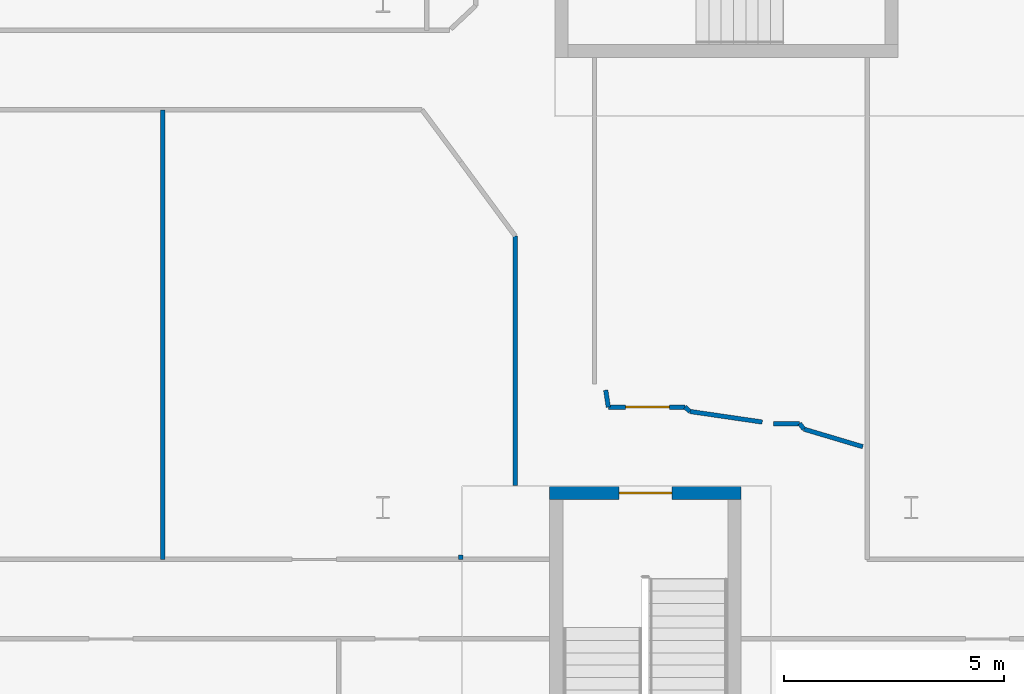
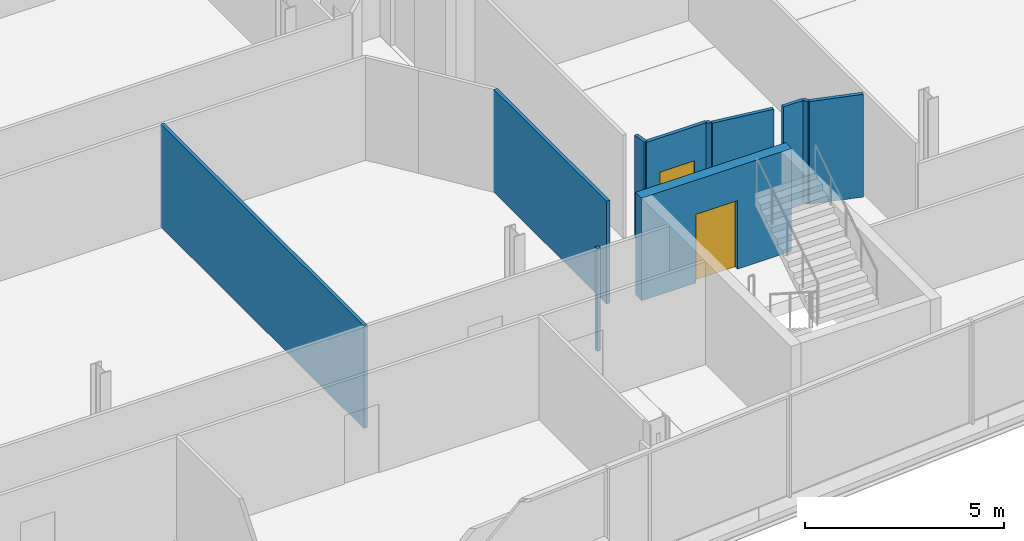
# One storey, part 17 of 24: 11 walls, 2 doors, 2 openings.
"""IFC4 building model written with IfcOpenShell, lengths in metres."""

import ifcopenshell
import ifcopenshell.guid

model = None  # the IFC model being written
_history = None  # IfcOwnerHistory: only IFC2X3 demands one
_inside = {}  # id of a spatial element -> (the spatial element, [elements in it])
_under = {}  # id of a project, library or spatial element -> (it, [spatial elements below it])
_declared = {}  # id of a project -> (the project, [libraries it declares])
_typed = {}  # id of a type object -> (the type object, [elements of that type])
_made_of = {}  # id of a material, layer set ... -> (it, [elements and type objects made of it])


def new_model(schema):
    """Start an empty IFC model of exactly this schema.

    Asked for "IFC4X3", IfcOpenShell would pick the latest addendum, in which some entities
    have other attributes; the version numbers below select the first issue.
    IFC2X3 requires an IfcOwnerHistory on every rooted entity: one is made here for all.
    """
    global model, _history
    if schema == "IFC4X3":
        model = ifcopenshell.file(schema_version=(4, 3, 0, 0))
    else:
        model = ifcopenshell.file(schema=schema)
    _inside.clear()
    _under.clear()
    _declared.clear()
    _typed.clear()
    _made_of.clear()
    _history = None
    if model.schema == "IFC2X3":
        org = make("IfcOrganization", Name="unknown")
        user = make(
            "IfcPersonAndOrganization",
            ThePerson=make("IfcPerson", FamilyName="unknown"),
            TheOrganization=org,
        )
        app = make(
            "IfcApplication",
            ApplicationDeveloper=org,
            Version="unknown",
            ApplicationFullName="unknown",
            ApplicationIdentifier="unknown",
        )
        _history = make(
            "IfcOwnerHistory",
            OwningUser=user,
            OwningApplication=app,
            ChangeAction="ADDED",
            CreationDate=0,
        )
    return model


def make(cls, **values):
    """One entity of the class cls with the attributes given. An attribute that is None is left unset."""
    return model.create_entity(
        cls, **{name: value for name, value in values.items() if value is not None}
    )


def rooted(cls, **values):
    """An entity with a GlobalId (a new one), such as an element, a storey or a relation."""
    return make(cls, GlobalId=ifcopenshell.guid.new(), OwnerHistory=_history, **values)


def si_unit(unit_type, name, prefix=None):
    """IfcSIUnit, for example si_unit("LENGTHUNIT", "METRE", prefix="MILLI")."""
    return make("IfcSIUnit", UnitType=unit_type, Prefix=prefix, Name=name)


def assignment(units):
    """IfcUnitAssignment: the units of a project."""
    return None if units is None else make("IfcUnitAssignment", Units=units)


def point(xyz):
    """IfcCartesianPoint."""
    return None if xyz is None else make("IfcCartesianPoint", Coordinates=xyz)


def direction(xyz):
    """IfcDirection."""
    return None if xyz is None else make("IfcDirection", DirectionRatios=xyz)


def frame(location, z_axis=None, x_axis=None):
    """IfcAxis2Placement3D, a coordinate frame: its origin and axes. An axis left out is left unset."""
    return make(
        "IfcAxis2Placement3D",
        Location=point(location),
        Axis=direction(z_axis),
        RefDirection=direction(x_axis),
    )


def frame_2d(location, x_axis=None):
    """IfcAxis2Placement2D, a coordinate frame in the plane: its origin and x axis."""
    return make(
        "IfcAxis2Placement2D", Location=point(location), RefDirection=direction(x_axis)
    )


def origin():
    """The frame at (0, 0, 0) with its axes left unset."""
    return frame((0.0, 0.0, 0.0))


def place(relative_to, where):
    """IfcLocalPlacement: puts the frame where relative to a parent placement (None: the world)."""
    return make(
        "IfcLocalPlacement", PlacementRelTo=relative_to, RelativePlacement=where
    )


def context(
    kind, dimensions, precision=None, world=None, true_north=None, identifier=None
):
    """IfcGeometricRepresentationContext, for example the 3D "Model" context."""
    return make(
        "IfcGeometricRepresentationContext",
        ContextIdentifier=identifier,
        ContextType=kind,
        CoordinateSpaceDimension=dimensions,
        Precision=precision,
        WorldCoordinateSystem=world,
        TrueNorth=true_north,
    )


def subcontext(parent, identifier, kind, view, scale=None):
    """IfcGeometricRepresentationSubContext, for example "Body" below "Model"."""
    return make(
        "IfcGeometricRepresentationSubContext",
        ContextIdentifier=identifier,
        ContextType=kind,
        ParentContext=parent,
        TargetScale=scale,
        TargetView=view,
    )


def project(units=None, contexts=None):
    """IfcProject with its units and contexts."""
    return rooted(
        "IfcProject",
        Name="project",
        RepresentationContexts=contexts,
        UnitsInContext=assignment(units),
    )


def spatial(cls, under=None, at=None, **own):
    """A site, building, storey or space (cls), placed at a placement, below another one or the project."""
    s = rooted(cls, ObjectPlacement=at, **own)
    if under is not None:
        _under.setdefault(under.id(), (under, []))[1].append(s)
    return s


def profile(cls, at=None, kind="AREA", **sizes):
    """A parametric profile (cls). Its sizes go by their IFC names, for example OverallWidth=200.0."""
    return make(cls, ProfileType=kind, Position=at, **sizes)


def rectangle(**sizes):
    """IfcRectangleProfileDef."""
    return profile("IfcRectangleProfileDef", **sizes)


def extrude(swept, where, along, depth):
    """IfcExtrudedAreaSolid: the profile swept, set in the frame where, extruded along a direction by depth."""
    return make(
        "IfcExtrudedAreaSolid",
        SweptArea=swept,
        Position=where,
        ExtrudedDirection=direction(along),
        Depth=depth,
    )


def shape(context_of_items, identifier, shape_type, items):
    """IfcShapeRepresentation: the items that make up one representation, for example the "Body"."""
    return make(
        "IfcShapeRepresentation",
        ContextOfItems=context_of_items,
        RepresentationIdentifier=identifier,
        RepresentationType=shape_type,
        Items=items,
    )


def material(Name=None, Category=None):
    """IfcMaterial."""
    return make("IfcMaterial", Name=Name, Category=Category)


def layer(
    of_material, thickness, ventilated=None, Name=None, Category=None, Priority=None
):
    """IfcMaterialLayer: one layer of a wall or slab, of a material (None: an air gap)."""
    return make(
        "IfcMaterialLayer",
        Material=of_material,
        LayerThickness=thickness,
        IsVentilated=ventilated,
        Name=Name,
        Category=Category,
        Priority=Priority,
    )


def layer_set(layers, Name=None):
    """IfcMaterialLayerSet."""
    return make("IfcMaterialLayerSet", MaterialLayers=layers, LayerSetName=Name)


def made_of(thing, what):
    """Note that an element or type object is made of a material, layer set ...; save() writes the relation."""
    if what is not None:
        _made_of.setdefault(what.id(), (what, []))[1].append(thing)
    return thing


def type_object(cls, material=None, **own):
    """A type object (cls), such as IfcWallType, which elements share."""
    return made_of(rooted(cls, **own), material)


def element(
    cls,
    number,
    at=None,
    inside=None,
    cuts=None,
    type_object=None,
    material=None,
    context=None,
    identifier="Body",
    shape_type=None,
    held_by="IfcProductDefinitionShape",
    body=None,
    shapes=None,
    **own,
):
    """One element of the class cls, such as IfcWall. Its Tag is "e" and its number.

    at: its placement. inside: the storey or other place that contains it. cuts: it is an
    opening in that element (IfcRelVoidsElement). A single representation is given by context,
    identifier, shape_type and body (its items); several are given by shapes. held_by: the class
    of the entity that holds the representations. save() writes the other relations.
    """
    e = rooted(cls, Tag="e%d" % number, ObjectPlacement=at, **own)
    if body is not None:
        shapes = [shape(context, identifier, shape_type, body)]
    if shapes is not None:
        e.Representation = make(held_by, Representations=shapes)
    if inside is not None:
        _inside.setdefault(inside.id(), (inside, []))[1].append(e)
    if cuts is not None:
        rooted(
            "IfcRelVoidsElement", RelatingBuildingElement=cuts, RelatedOpeningElement=e
        )
    if type_object is not None:
        _typed.setdefault(type_object.id(), (type_object, []))[1].append(e)
    return made_of(e, material)


def fill(opening, filler):
    """IfcRelFillsElement: the door or window that sits in an opening."""
    return rooted(
        "IfcRelFillsElement",
        RelatingOpeningElement=opening,
        RelatedBuildingElement=filler,
    )


def aggregate(whole, parts):
    """IfcRelAggregates: a whole, such as a stair, and the parts it consists of."""
    return rooted("IfcRelAggregates", RelatingObject=whole, RelatedObjects=parts)


def save(model, path):
    """Write the relations noted so far, then the file.

    IfcRelAggregates (storeys below a building ...), IfcRelContainedInSpatialStructure (elements
    in a storey), IfcRelDefinesByType, IfcRelAssociatesMaterial and IfcRelDeclares: one each for
    every whole, place, type object, material and project.
    """
    for whole, parts in _under.values():
        aggregate(whole, parts)
    for where, things in _inside.values():
        rooted(
            "IfcRelContainedInSpatialStructure",
            RelatedElements=things,
            RelatingStructure=where,
        )
    for kind, things in _typed.values():
        rooted("IfcRelDefinesByType", RelatedObjects=things, RelatingType=kind)
    for what, things in _made_of.values():
        rooted("IfcRelAssociatesMaterial", RelatedObjects=things, RelatingMaterial=what)
    for by, libraries in _declared.values():
        rooted("IfcRelDeclares", RelatingContext=by, RelatedDefinitions=libraries)
    model.write(path)


model = new_model("IFC4")

# Units and contexts
model_context = context("Model", 3, precision=1e-05, world=origin(), true_north=direction((0.0, 1.0)))
body_context = subcontext(model_context, "Body", "Model", "MODEL_VIEW")
ifc_project = project(units=[si_unit("LENGTHUNIT", "METRE"), si_unit("AREAUNIT", "SQUARE_METRE"), si_unit("VOLUMEUNIT", "CUBIC_METRE"), si_unit("PLANEANGLEUNIT", "RADIAN"), si_unit("MASSUNIT", "GRAM", prefix="KILO")], contexts=[model_context])

# Site, building, storey
site_placement = place(None, origin())
site = spatial("IfcSite", under=ifc_project, at=site_placement, CompositionType="ELEMENT")
building_placement = place(site_placement, origin())
building = spatial("IfcBuilding", under=site, at=building_placement, Name="Wharfspan Tower", CompositionType="ELEMENT")
storey_placement = place(building_placement, frame((0.0, 0.0, 198.699951)))
storey = spatial("IfcBuildingStorey", under=building, at=storey_placement, Name="L49", CompositionType="ELEMENT", Elevation=198.699951)

# Walls
ifc_material_1 = material(Name="Gypsum board on steel studs", Category="steel")
ifc_layer_1 = layer(ifc_material_1, 0.100098)
ifc_layer_set_1 = layer_set([ifc_layer_1], Name="Gypsum board on steel studs")
wall_type_1 = type_object("IfcWallType", Name="Compartment wall 100 EI 60", PredefinedType="PARTITIONING", material=ifc_layer_set_1)
wall_1_placement = place(storey_placement, frame((55.0, 10.324951, 0.0), z_axis=(0.0, 0.0, 1.0), x_axis=(0.0, 1.0, 0.0)))
element("IfcWall", 1, at=wall_1_placement, inside=storey, type_object=wall_type_1, Name="Partition L49.w049", PredefinedType="PARTITIONING", context=body_context, shape_type="SweptSolid", body=[
    extrude(rectangle(XDim=10.209961, YDim=0.100098, at=frame_2d((5.10498, 0.0))), origin(), (0.0, 0.0, 1.0), 3.150146),
])
wall_2_placement = place(storey_placement, frame((61.764893, 10.324951, 0.0), z_axis=(0.0, 0.0, 1.0), x_axis=(0.0, 1.0, 0.0)))
element("IfcWall", 2, at=wall_2_placement, inside=storey, type_object=wall_type_1, Name="Partition L49.w055", PredefinedType="PARTITIONING", context=body_context, shape_type="SweptSolid", body=[
    extrude(rectangle(XDim=0.10498, YDim=0.100098, at=frame_2d((0.05249, 0.0))), origin(), (0.0, 0.0, 1.0), 3.150146),
])
wall_3_placement = place(storey_placement, frame((63.004883, 12.003662, 0.0), z_axis=(0.0, 0.0, 1.0), x_axis=(0.0, 1.0, 0.0)))
element("IfcWall", 3, at=wall_3_placement, inside=storey, type_object=wall_type_1, Name="Partition L49.w061", PredefinedType="PARTITIONING", context=body_context, shape_type="SweptSolid", body=[
    extrude(rectangle(XDim=5.66626, YDim=0.100098, at=frame_2d((2.833008, 0.0))), origin(), (0.0, 0.0, 1.0), 3.150146),
])
wall_4_placement = place(storey_placement, frame((65.120117, 13.784912, 0.0), z_axis=(0.0, 0.0, 1.0), x_axis=(-0.154128, 0.988048, 0.0)))
element("IfcWall", 4, at=wall_4_placement, inside=storey, type_object=wall_type_1, Name="Partition L49.w063", PredefinedType="PARTITIONING", context=body_context, shape_type="SweptSolid", body=[
    extrude(rectangle(XDim=0.389648, YDim=0.100098, at=frame_2d((0.194824, 0.0))), origin(), (0.0, 0.0, 1.0), 3.150146),
])

# Wall, opening, door
wall_5_placement = place(storey_placement, frame((65.120117, 13.784912, 0.0), z_axis=(0.0, 0.0, 1.0), x_axis=(1.0, 0.0, 0.0)))
wall_5 = element("IfcWall", 5, at=wall_5_placement, inside=storey, type_object=wall_type_1, Name="Partition L49.w064", PredefinedType="PARTITIONING", context=body_context, shape_type="SweptSolid", body=[
    extrude(rectangle(XDim=1.73999, YDim=0.100098, at=frame_2d((0.870117, 0.0))), origin(), (0.0, 0.0, 1.0), 3.150146),
])
opening_1_placement = place(wall_5_placement, frame((0.392334, 0.0, 0.0)))
opening_1 = element("IfcOpeningElement", 6, at=opening_1_placement, cuts=wall_5, Name="Opening C6-11", PredefinedType="OPENING", context=body_context, shape_type="SweptSolid", body=[
    extrude(rectangle(XDim=1.0, YDim=2.100098, at=frame_2d((0.5, 1.050049))), frame((0.0, 0.060059, 0.0), z_axis=(0.0, -1.0, 0.0), x_axis=(1.0, 0.0, 0.0)), (0.0, 0.0, 1.0), 0.120117),
])
ifc_material_2 = material(Name="Fire-rated timber door leaf in steel frame", Category="steel")
door_type_1 = type_object("IfcDoorType", Name="Door 1000 FD30S Right", OperationType="SINGLE_SWING_RIGHT", PredefinedType="DOOR", material=ifc_material_2)
door_1_placement = place(opening_1_placement, origin())
door_1 = element("IfcDoor", 7, at=door_1_placement, inside=storey, type_object=door_type_1, Name="Door C6-11", OperationType="SINGLE_SWING_RIGHT", OverallHeight=2.100098, OverallWidth=1.0, PredefinedType="DOOR", context=body_context, shape_type="SweptSolid", body=[
    extrude(rectangle(XDim=1.0, YDim=2.100098, at=frame_2d((0.5, 1.050049))), frame((0.0, 0.024902, 0.0), z_axis=(0.0, -1.0, 0.0), x_axis=(1.0, 0.0, 0.0)), (0.0, 0.0, 1.0), 0.050049),
])
fill(opening_1, door_1)

# Walls
wall_6_placement = place(storey_placement, frame((66.975098, 13.685059, 0.0), z_axis=(0.0, 0.0, 1.0), x_axis=(-0.755051, 0.65566, 0.0)))
element("IfcWall", 8, at=wall_6_placement, inside=storey, type_object=wall_type_1, Name="Partition L49.w065", PredefinedType="PARTITIONING", context=body_context, shape_type="SweptSolid", body=[
    extrude(rectangle(XDim=0.152344, YDim=0.100098, at=frame_2d((0.076172, 0.0))), origin(), (0.0, 0.0, 1.0), 3.150146),
])
wall_7_placement = place(storey_placement, frame((68.61499, 13.445068, 0.0), z_axis=(0.0, 0.0, 1.0), x_axis=(-0.989463, 0.144803, 0.0)))
element("IfcWall", 9, at=wall_7_placement, inside=storey, type_object=wall_type_1, Name="Partition L49.w067", PredefinedType="PARTITIONING", context=body_context, shape_type="SweptSolid", body=[
    extrude(rectangle(XDim=1.657471, YDim=0.100098, at=frame_2d((0.828613, 0.0))), origin(), (0.0, 0.0, 1.0), 3.150146),
])
wall_8_placement = place(storey_placement, frame((68.870117, 13.409912, 0.0), z_axis=(0.0, 0.0, 1.0), x_axis=(1.0, 0.0, 0.0)))
element("IfcWall", 10, at=wall_8_placement, inside=storey, type_object=wall_type_1, Name="Partition L49.w069", PredefinedType="PARTITIONING", context=body_context, shape_type="SweptSolid", body=[
    extrude(rectangle(XDim=0.594971, YDim=0.100098, at=frame_2d((0.297363, 0.0))), origin(), (0.0, 0.0, 1.0), 3.150146),
])
wall_9_placement = place(storey_placement, frame((69.560059, 13.284912, 0.0), z_axis=(0.0, 0.0, 1.0), x_axis=(-0.604968, 0.796256, 0.0)))
element("IfcWall", 11, at=wall_9_placement, inside=storey, type_object=wall_type_1, Name="Partition L49.w070", PredefinedType="PARTITIONING", context=body_context, shape_type="SweptSolid", body=[
    extrude(rectangle(XDim=0.156982, YDim=0.100098, at=frame_2d((0.078613, 0.0))), origin(), (0.0, 0.0, 1.0), 3.150146),
])
wall_10_placement = place(storey_placement, frame((70.899902, 12.88501, 0.0), z_axis=(0.0, 0.0, 1.0), x_axis=(-0.958229, 0.286002, 0.0)))
element("IfcWall", 12, at=wall_10_placement, inside=storey, type_object=wall_type_1, Name="Partition L49.w071", PredefinedType="PARTITIONING", context=body_context, shape_type="SweptSolid", body=[
    extrude(rectangle(XDim=1.398193, YDim=0.100098, at=frame_2d((0.699219, 0.0))), origin(), (0.0, 0.0, 1.0), 3.150146),
])

# Wall, opening, door
ifc_material_3 = material(Name="Concrete C40/50", Category="concrete")
ifc_layer_2 = layer(ifc_material_3, 0.300049)
ifc_layer_set_2 = layer_set([ifc_layer_2], Name="Concrete C40/50")
wall_type_2 = type_object("IfcWallType", Name="Stair core wall 300", PredefinedType="SHEAR", material=ifc_layer_set_2)
wall_11_placement = place(storey_placement, frame((63.786377, 11.83374, 0.0), z_axis=(0.0, 0.0, 1.0), x_axis=(1.0, 0.0, 0.0)))
wall_11 = element("IfcWall", 13, at=wall_11_placement, inside=storey, type_object=wall_type_2, Name="ST5 stair enclosure wall L49", PredefinedType="SHEAR", context=body_context, shape_type="SweptSolid", body=[
    extrude(rectangle(XDim=4.350098, YDim=0.300049, at=frame_2d((2.175049, 0.0))), origin(), (0.0, 0.0, 1.0), 3.150146),
])
opening_2_placement = place(wall_11_placement, frame((1.574951, 0.0, 0.0)))
opening_2 = element("IfcOpeningElement", 14, at=opening_2_placement, cuts=wall_11, Name="Opening SD5.L49", PredefinedType="OPENING", context=body_context, shape_type="SweptSolid", body=[
    extrude(rectangle(XDim=1.199951, YDim=2.100098, at=frame_2d((0.600098, 1.050049))), frame((0.0, 0.159912, 0.0), z_axis=(0.0, -1.0, 0.0), x_axis=(1.0, 0.0, 0.0)), (0.0, 0.0, 1.0), 0.320068),
])
ifc_material_4 = material(Name="Steel door leaf", Category="steel")
door_type_2 = type_object("IfcDoorType", Name="Stair door 1200x2100", OperationType="SINGLE_SWING_LEFT", PredefinedType="DOOR", material=ifc_material_4)
door_2_placement = place(opening_2_placement, origin())
door_2 = element("IfcDoor", 15, at=door_2_placement, inside=storey, type_object=door_type_2, Name="sd:L49:ST5z3", OperationType="SINGLE_SWING_RIGHT", OverallHeight=2.100098, OverallWidth=1.199951, PredefinedType="DOOR", context=body_context, shape_type="SweptSolid", body=[
    extrude(rectangle(XDim=1.199951, YDim=2.100098, at=frame_2d((0.600098, 1.050049))), frame((0.0, 0.024902, 0.0), z_axis=(0.0, -1.0, 0.0), x_axis=(1.0, 0.0, 0.0)), (0.0, 0.0, 1.0), 0.050049),
])
fill(opening_2, door_2)

save(model, "model.ifc")
